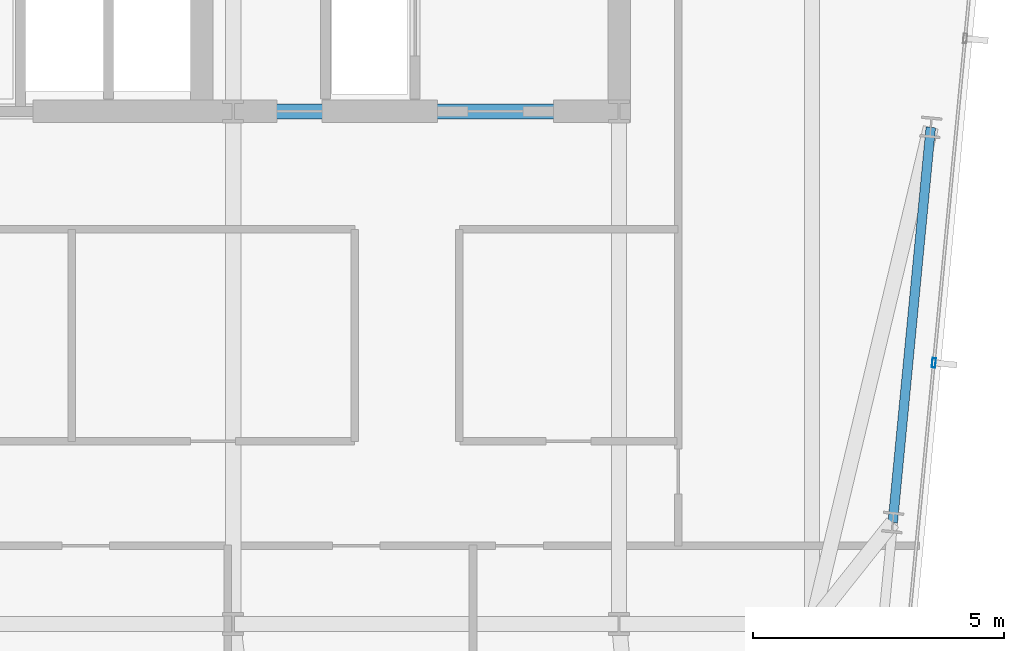
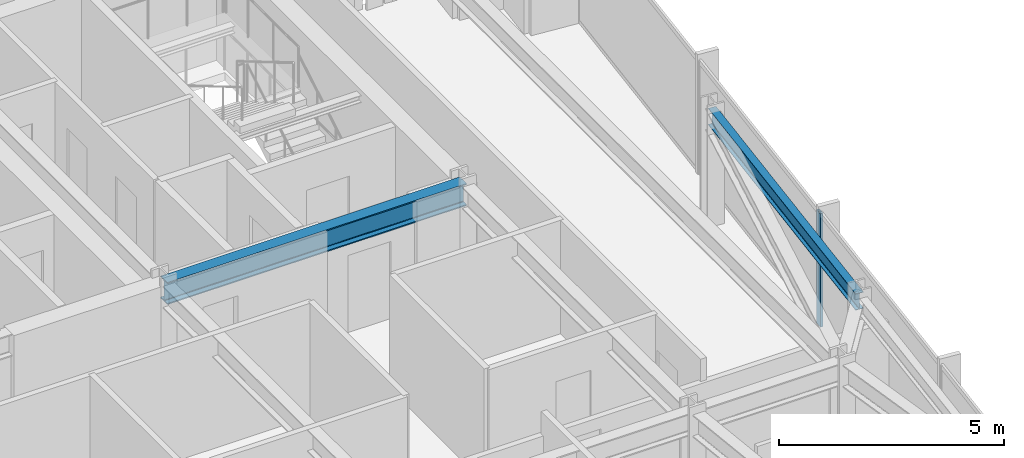
# One storey, part 18 of 38: 2 beams, 1 member, 1 element without a shape of its own.
"""IFC4 building model written with IfcOpenShell, lengths in metres."""

from ifc_helpers import new_model, si_unit, direction, frame, origin, origin_2d, place, context, subcontext, project, spatial, hollow_rectangle, i_section, extrude, material, material_profile, profile_set, type_object, element, aggregate, save


model = new_model("IFC4")

# Units and contexts
model_context = context("Model", 3, precision=1e-05, world=origin(), true_north=direction((0.0, 1.0)))
body_context = subcontext(model_context, "Body", "Model", "MODEL_VIEW")
ifc_project = project(units=[si_unit("LENGTHUNIT", "METRE"), si_unit("AREAUNIT", "SQUARE_METRE"), si_unit("VOLUMEUNIT", "CUBIC_METRE"), si_unit("PLANEANGLEUNIT", "RADIAN"), si_unit("MASSUNIT", "GRAM", prefix="KILO")], contexts=[model_context])

# Site, building, storey
site_placement = place(None, origin())
site = spatial("IfcSite", under=ifc_project, at=site_placement, CompositionType="ELEMENT")
building_placement = place(site_placement, origin())
building = spatial("IfcBuilding", under=site, at=building_placement, Name="Yelkora Congress Tower", CompositionType="ELEMENT")
storey_placement = place(building_placement, frame((0.0, 0.0, 172.10009765625)))
storey = spatial("IfcBuildingStorey", under=building, at=storey_placement, Name="L47", CompositionType="ELEMENT", Elevation=172.10009765625)

# Beams
ifc_material_1 = material(Name="Steel S355J2", Category="steel")
ifc_material_profile_1 = material_profile(ifc_material_1, i_section(OverallWidth=0.300048828125, OverallDepth=0.60009765625, WebThickness=0.015380859375, FlangeThickness=0.030029296875, FilletRadius=0.027099609375, at=origin_2d()), Name="HEB 600")
ifc_profile_set_1 = profile_set([ifc_material_profile_1], Name="Steel S355J2")
beam_type_1 = type_object("IfcBeamType", Name="BM-GIRD-HEB600", PredefinedType="BEAM", material=ifc_profile_set_1)
beam_1_placement = place(storey_placement, frame((46.080078125, 35.39990234375, 2.77978515625), z_axis=(1.0, 0.0, 0.0), x_axis=(0.0, 1.0, 0.0)))
element("IfcBeam", 1, at=beam_1_placement, inside=storey, type_object=beam_type_1, Name="L47 Core South Girder 4", PredefinedType="BEAM", context=body_context, shape_type="SweptSolid", body=[
    extrude(i_section(OverallWidth=0.300048828125, OverallDepth=0.60009765625, WebThickness=0.015380859375, FlangeThickness=0.030029296875, FilletRadius=0.027099609375, at=origin_2d()), origin(), (0.0, 0.0, 1.0), 7.679931640625),
])
ifc_material_profile_2 = material_profile(ifc_material_1, i_section(OverallWidth=0.18994140625, OverallDepth=0.449951171875, WebThickness=0.009521484375, FlangeThickness=0.0146484375, FilletRadius=0.02099609375, at=origin_2d()), Name="IPE 450")
ifc_profile_set_2 = profile_set([ifc_material_profile_2], Name="Steel S355J2")
beam_type_2 = type_object("IfcBeamType", Name="BM-SPAN-IPE450", PredefinedType="SPANDREL", material=ifc_profile_set_2)
beam_2_placement = place(storey_placement, frame((59.206298828125, 27.217529296875, 2.85498046875), z_axis=(0.095834301903, 0.99539730087, 0.0), x_axis=(-0.99539730087, 0.095834301903, 0.0)))
element("IfcBeam", 2, at=beam_2_placement, inside=storey, type_object=beam_type_2, Name="L47 Perimeter Beam 11", PredefinedType="SPANDREL", context=body_context, shape_type="SweptSolid", body=[
    extrude(i_section(OverallWidth=0.18994140625, OverallDepth=0.449951171875, WebThickness=0.009521484375, FlangeThickness=0.0146484375, FilletRadius=0.02099609375, at=origin_2d()), origin(), (0.0, 0.0, 1.0), 7.89990234375),
])

# Curtain wall, member
ifc_material_2 = material(Name="Anodised aluminium and insulated glass", Category="aluminium")
curtain_wall_type = type_object("IfcCurtainWallType", Name="CW-SYS-B3", PredefinedType="NOTDEFINED", material=ifc_material_2)
curtain_wall_placement = place(storey_placement, origin())
curtain_wall = element("IfcCurtainWall", 3, at=curtain_wall_placement, inside=storey, type_object=curtain_wall_type, Name="L47 Unitised Curtain Wall 15", PredefinedType="NOTDEFINED")
ifc_material_3 = material(Name="Anodised aluminium 6063-T6", Category="aluminium")
ifc_material_profile_3 = material_profile(ifc_material_3, hollow_rectangle(XDim=0.070068359375, YDim=0.18994140625, WallThickness=0.00390625, at=origin_2d()), Name="ALU 70x190x4")
ifc_profile_set_3 = profile_set([ifc_material_profile_3], Name="Anodised aluminium 6063-T6")
member_type = type_object("IfcMemberType", Name="MEM-ML-B3", PredefinedType="MULLION", material=ifc_profile_set_3)
member_placement = place(storey_placement, frame((60.024658203125, 30.395751953125, 0.0), z_axis=(0.0, 0.0, 1.0), x_axis=(0.995396565076, -0.095841944023, 0.0)))
member = element("IfcMember", 4, at=member_placement, type_object=member_type, Name="CW-B3 mullion 3", PredefinedType="MULLION", context=body_context, shape_type="SweptSolid", body=[
    extrude(hollow_rectangle(XDim=0.070068359375, YDim=0.18994140625, WallThickness=0.00390625, at=origin_2d()), origin(), (0.0, 0.0, 1.0), 3.079833984375),
])
aggregate(curtain_wall, [member])

save(model, "model.ifc")
